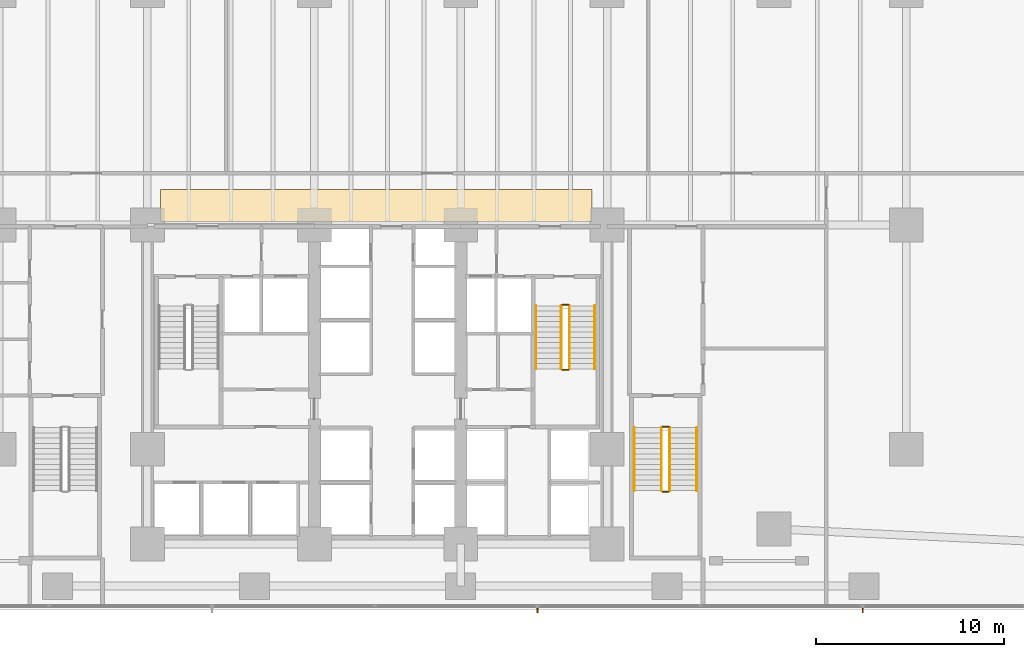
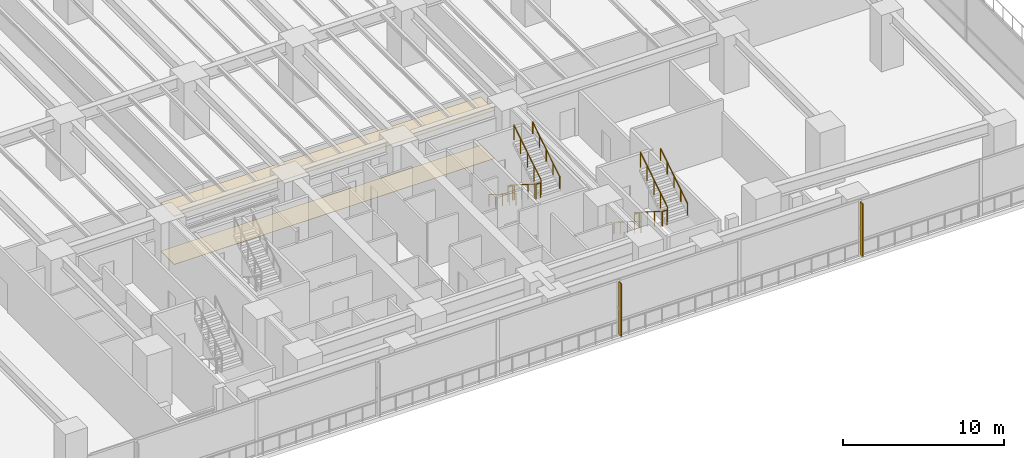
# One storey, part 22 of 27: 12 railings, 2 coverings, 2 shading devices.
"""IFC4 building model written with IfcOpenShell, lengths in metres."""

from ifc_helpers import new_model, si_unit, direction, frame, origin, origin_2d, place, context, subcontext, project, spatial, polyline, circle, outline, extrude, material, layer, layer_set, type_object, element, save


model = new_model("IFC4")

# Units and contexts
model_context = context("Model", 3, precision=1e-05, world=origin(), true_north=direction((0.0, 1.0)))
body_context = subcontext(model_context, "Body", "Model", "MODEL_VIEW")
ifc_project = project(units=[si_unit("LENGTHUNIT", "METRE"), si_unit("AREAUNIT", "SQUARE_METRE"), si_unit("VOLUMEUNIT", "CUBIC_METRE"), si_unit("PLANEANGLEUNIT", "RADIAN"), si_unit("MASSUNIT", "GRAM", prefix="KILO")], contexts=[model_context])

# Site, building, storey
site_placement = place(None, origin())
site = spatial("IfcSite", under=ifc_project, at=site_placement, CompositionType="ELEMENT")
building_placement = place(site_placement, origin())
building = spatial("IfcBuilding", under=site, at=building_placement, Name="Qalmaran Belvedere Hotel", CompositionType="ELEMENT")
storey_placement = place(building_placement, frame((0.0, 0.0, 5.39990234375)))
storey = spatial("IfcBuildingStorey", under=building, at=storey_placement, Name="L01", CompositionType="ELEMENT", Elevation=5.39990234375)

# Covering
ifc_material_1 = material(Name="Acoustic Mineral Ceiling")
ifc_layer_1 = layer(ifc_material_1, 0.0400390625, Name="Acoustic Mineral Ceiling")
ifc_layer_set_1 = layer_set([ifc_layer_1], Name="Acoustic Mineral Ceiling")
covering_type_1 = type_object("IfcCoveringType", Name="CLG-ACOUSTIC-40", PredefinedType="CEILING", material=ifc_layer_set_1)
covering_1_placement = place(storey_placement, frame((0.0, 0.0, 3.650146484375)))
element("IfcCovering", 1, at=covering_1_placement, inside=storey, type_object=covering_type_1, Name="L01 Acoustic Corridor Ceiling", PredefinedType="CEILING", context=body_context, shape_type="SweptSolid", body=[
    extrude(outline(polyline([(21.0, 20.699951171875), (44.0, 20.699951171875), (44.0, 22.39990234375), (21.0, 22.39990234375), (21.0, 20.699951171875)])), origin(), (0.0, 0.0, 1.0), 0.0400390625),
])

# Shading devices
ifc_material_2 = material(Name="Anodised Bronze Aluminium", Category="aluminium")
ifc_layer_2 = layer(ifc_material_2, 0.06494140625, Name="Anodised Bronze Aluminium")
ifc_layer_set_2 = layer_set([ifc_layer_2], Name="Anodised Bronze Aluminium")
shading_device_type = type_object("IfcShadingDeviceType", Name="FIN-BRNZ-300", PredefinedType="USERDEFINED", material=ifc_layer_set_2)
shading_device_1_placement = place(storey_placement, frame((0.0, 0.0, 0.16015625)))
element("IfcShadingDevice", 2, at=shading_device_1_placement, inside=storey, type_object=shading_device_type, Name="L01 Bronze Fin 5", ObjectType="FIN", PredefinedType="USERDEFINED", context=body_context, shape_type="SweptSolid", body=[
    extrude(outline(polyline([(41.05419921875, 0.12744140625), (41.05419921875, -0.172607421875), (41.119140625, -0.172607421875), (41.119140625, 0.12744140625), (41.05419921875, 0.12744140625)])), origin(), (0.0, 0.0, 1.0), 4.02001953125),
])
shading_device_2_placement = place(storey_placement, frame((0.0, 0.0, 0.16015625)))
element("IfcShadingDevice", 3, at=shading_device_2_placement, inside=storey, type_object=shading_device_type, Name="L01 Bronze Fin 7", ObjectType="FIN", PredefinedType="USERDEFINED", context=body_context, shape_type="SweptSolid", body=[
    extrude(outline(polyline([(58.40087890625, 0.12744140625), (58.40087890625, -0.172607421875), (58.4658203125, -0.172607421875), (58.4658203125, 0.12744140625), (58.40087890625, 0.12744140625)])), origin(), (0.0, 0.0, 1.0), 4.02001953125),
])

# Covering
ifc_material_3 = material(Name="Polished Stone Terrazzo", Category="masonry")
ifc_layer_3 = layer(ifc_material_3, 0.01806640625, Name="Polished Stone Terrazzo")
ifc_layer_set_3 = layer_set([ifc_layer_3], Name="Polished Stone Terrazzo")
covering_type_2 = type_object("IfcCoveringType", Name="FIN-TERRAZZO-18", PredefinedType="FLOORING", material=ifc_layer_set_3)
covering_2_placement = place(storey_placement, frame((0.0, 0.0, 0.002197265625)))
element("IfcCovering", 4, at=covering_2_placement, inside=storey, type_object=covering_type_2, Name="L01 Limestone Corridor Flooring", PredefinedType="FLOORING", context=body_context, shape_type="SweptSolid", body=[
    extrude(outline(polyline([(21.0, 20.699951171875), (44.0, 20.699951171875), (44.0, 22.39990234375), (21.0, 22.39990234375), (21.0, 20.699951171875)])), origin(), (0.0, 0.0, 1.0), 0.017822265625),
])

# Railings
ifc_material_4 = material(Name="Stainless Steel 1.4401", Category="steel")
railing_type_1 = type_object("IfcRailingType", Name="RLG-STAIR-GUARD-1150", PredefinedType="GUARDRAIL", material=ifc_material_4)
railing_1_placement = place(storey_placement, frame((42.360107421875, 16.18994140625, 0.177001953125)))
element("IfcRailing", 5, at=railing_1_placement, inside=storey, type_object=railing_type_1, Name="L01 ST-2 stair guard 1", PredefinedType="GUARDRAIL", context=body_context, shape_type="SweptSolid", body=[
    extrude(circle(Radius=0.02392578125, at=origin_2d()), frame((0.0, 0.0, 1.1259765625), z_axis=(0.0, -0.845372108799, 0.534177870812), x_axis=(1.0, 0.0, 0.0)), (0.0, 0.0, 1.0), 3.974365234375),
    extrude(circle(Radius=0.02099609375, at=origin_2d()), origin(), (0.0, 0.0, 1.0), 1.101806640625),
    extrude(circle(Radius=0.02099609375, at=origin_2d()), frame((0.0, -0.83984375, 0.53076171875)), (0.0, 0.0, 1.0), 1.101806640625),
    extrude(circle(Radius=0.02099609375, at=origin_2d()), frame((0.0, -1.679931640625, 1.0615234375)), (0.0, 0.0, 1.0), 1.101806640625),
    extrude(circle(Radius=0.02099609375, at=origin_2d()), frame((0.0, -2.52001953125, 1.59228515625)), (0.0, 0.0, 1.0), 1.101806640625),
    extrude(circle(Radius=0.02099609375, at=origin_2d()), frame((0.0, -3.35986328125, 2.123046875)), (0.0, 0.0, 1.0), 1.101806640625),
])
railing_2_placement = place(storey_placement, frame((42.409912109375, 12.780029296875, 2.300048828125)))
element("IfcRailing", 6, at=railing_2_placement, inside=storey, type_object=railing_type_1, Name="L01 ST-2 stair guard 2", PredefinedType="GUARDRAIL", context=body_context, shape_type="SweptSolid", body=[
    extrude(circle(Radius=0.02392578125, at=origin_2d()), frame((0.0, 0.0, 1.1259765625), z_axis=(1.0, 0.0, 0.0), x_axis=(0.0, 1.0, 0.0)), (0.0, 0.0, 1.0), 0.340087890625),
    extrude(circle(Radius=0.02099609375, at=origin_2d()), origin(), (0.0, 0.0, 1.0), 1.101806640625),
    extrude(circle(Radius=0.02099609375, at=origin_2d()), frame((0.340087890625, 0.0, 0.0)), (0.0, 0.0, 1.0), 1.101806640625),
])
railing_3_placement = place(storey_placement, frame((42.800048828125, 12.830078125, 2.47705078125)))
element("IfcRailing", 7, at=railing_3_placement, inside=storey, type_object=railing_type_1, Name="L01 ST-2 stair guard 3", PredefinedType="GUARDRAIL", context=body_context, shape_type="SweptSolid", body=[
    extrude(circle(Radius=0.02392578125, at=origin_2d()), frame((0.0, 0.0, 1.1259765625), z_axis=(0.0, 0.845372108799, 0.534177870812), x_axis=(-1.0, 0.0, 0.0)), (0.0, 0.0, 1.0), 3.974365234375),
    extrude(circle(Radius=0.02099609375, at=origin_2d()), origin(), (0.0, 0.0, 1.0), 1.101806640625),
    extrude(circle(Radius=0.02099609375, at=origin_2d()), frame((0.0, 0.83984375, 0.53076171875)), (0.0, 0.0, 1.0), 1.101806640625),
    extrude(circle(Radius=0.02099609375, at=origin_2d()), frame((0.0, 1.679931640625, 1.0615234375)), (0.0, 0.0, 1.0), 1.101806640625),
    extrude(circle(Radius=0.02099609375, at=origin_2d()), frame((0.0, 2.52001953125, 1.59228515625)), (0.0, 0.0, 1.0), 1.101806640625),
    extrude(circle(Radius=0.02099609375, at=origin_2d()), frame((0.0, 3.35986328125, 2.123046875)), (0.0, 0.0, 1.0), 1.101806640625),
])
railing_4_placement = place(storey_placement, frame((42.409912109375, 16.239990234375, 0.0)))
element("IfcRailing", 8, at=railing_4_placement, inside=storey, type_object=railing_type_1, Name="L01 ST-2 stair guard 4", PredefinedType="GUARDRAIL", context=body_context, shape_type="SweptSolid", body=[
    extrude(circle(Radius=0.02392578125, at=origin_2d()), frame((0.0, 0.0, 1.1259765625), z_axis=(1.0, 0.0, 0.0), x_axis=(0.0, 1.0, 0.0)), (0.0, 0.0, 1.0), 0.340087890625),
    extrude(circle(Radius=0.02099609375, at=origin_2d()), origin(), (0.0, 0.0, 1.0), 1.101806640625),
    extrude(circle(Radius=0.02099609375, at=origin_2d()), frame((0.340087890625, 0.0, 0.0)), (0.0, 0.0, 1.0), 1.101806640625),
])
railing_5_placement = place(storey_placement, frame((47.699951171875, 9.699951171875, 0.177001953125)))
element("IfcRailing", 9, at=railing_5_placement, inside=storey, type_object=railing_type_1, Name="L01 ST-P2 stair guard 1", PredefinedType="GUARDRAIL", context=body_context, shape_type="SweptSolid", body=[
    extrude(circle(Radius=0.02392578125, at=origin_2d()), frame((0.0, 0.0, 1.1259765625), z_axis=(0.0, -0.845372108799, 0.534177870812), x_axis=(1.0, 0.0, 0.0)), (0.0, 0.0, 1.0), 3.974365234375),
    extrude(circle(Radius=0.02099609375, at=origin_2d()), origin(), (0.0, 0.0, 1.0), 1.101806640625),
    extrude(circle(Radius=0.02099609375, at=origin_2d()), frame((0.0, -0.83984375, 0.53076171875)), (0.0, 0.0, 1.0), 1.101806640625),
    extrude(circle(Radius=0.02099609375, at=origin_2d()), frame((0.0, -1.679931640625, 1.0615234375)), (0.0, 0.0, 1.0), 1.101806640625),
    extrude(circle(Radius=0.02099609375, at=origin_2d()), frame((0.0, -2.52001953125, 1.59228515625)), (0.0, 0.0, 1.0), 1.101806640625),
    extrude(circle(Radius=0.02099609375, at=origin_2d()), frame((0.0, -3.35986328125, 2.123046875)), (0.0, 0.0, 1.0), 1.101806640625),
])
railing_6_placement = place(storey_placement, frame((47.75, 6.2900390625, 2.300048828125)))
element("IfcRailing", 10, at=railing_6_placement, inside=storey, type_object=railing_type_1, Name="L01 ST-P2 stair guard 2", PredefinedType="GUARDRAIL", context=body_context, shape_type="SweptSolid", body=[
    extrude(circle(Radius=0.02392578125, at=origin_2d()), frame((0.0, 0.0, 1.1259765625), z_axis=(1.0, 0.0, 0.0), x_axis=(0.0, 1.0, 0.0)), (0.0, 0.0, 1.0), 0.340087890625),
    extrude(circle(Radius=0.02099609375, at=origin_2d()), origin(), (0.0, 0.0, 1.0), 1.101806640625),
    extrude(circle(Radius=0.02099609375, at=origin_2d()), frame((0.340087890625, 0.0, 0.0)), (0.0, 0.0, 1.0), 1.101806640625),
])
railing_7_placement = place(storey_placement, frame((48.139892578125, 6.340087890625, 2.47705078125)))
element("IfcRailing", 11, at=railing_7_placement, inside=storey, type_object=railing_type_1, Name="L01 ST-P2 stair guard 3", PredefinedType="GUARDRAIL", context=body_context, shape_type="SweptSolid", body=[
    extrude(circle(Radius=0.02392578125, at=origin_2d()), frame((0.0, 0.0, 1.1259765625), z_axis=(0.0, 0.845372108799, 0.534177870812), x_axis=(-1.0, 0.0, 0.0)), (0.0, 0.0, 1.0), 3.974365234375),
    extrude(circle(Radius=0.02099609375, at=origin_2d()), origin(), (0.0, 0.0, 1.0), 1.101806640625),
    extrude(circle(Radius=0.02099609375, at=origin_2d()), frame((0.0, 0.83984375, 0.53076171875)), (0.0, 0.0, 1.0), 1.101806640625),
    extrude(circle(Radius=0.02099609375, at=origin_2d()), frame((0.0, 1.679931640625, 1.0615234375)), (0.0, 0.0, 1.0), 1.101806640625),
    extrude(circle(Radius=0.02099609375, at=origin_2d()), frame((0.0, 2.52001953125, 1.59228515625)), (0.0, 0.0, 1.0), 1.101806640625),
    extrude(circle(Radius=0.02099609375, at=origin_2d()), frame((0.0, 3.35986328125, 2.123046875)), (0.0, 0.0, 1.0), 1.101806640625),
])
railing_8_placement = place(storey_placement, frame((47.75, 9.75, 0.0)))
element("IfcRailing", 12, at=railing_8_placement, inside=storey, type_object=railing_type_1, Name="L01 ST-P2 stair guard 4", PredefinedType="GUARDRAIL", context=body_context, shape_type="SweptSolid", body=[
    extrude(circle(Radius=0.02392578125, at=origin_2d()), frame((0.0, 0.0, 1.1259765625), z_axis=(1.0, 0.0, 0.0), x_axis=(0.0, 1.0, 0.0)), (0.0, 0.0, 1.0), 0.340087890625),
    extrude(circle(Radius=0.02099609375, at=origin_2d()), origin(), (0.0, 0.0, 1.0), 1.101806640625),
    extrude(circle(Radius=0.02099609375, at=origin_2d()), frame((0.340087890625, 0.0, 0.0)), (0.0, 0.0, 1.0), 1.101806640625),
])
railing_type_2 = type_object("IfcRailingType", Name="RLG-STAIR-HAND-910", PredefinedType="HANDRAIL", material=ifc_material_4)
railing_9_placement = place(storey_placement, frame((41.010009765625, 16.18994140625, 0.177001953125)))
element("IfcRailing", 13, at=railing_9_placement, inside=storey, type_object=railing_type_2, Name="L01 ST-2 stair handrail 1", PredefinedType="HANDRAIL", context=body_context, shape_type="SweptSolid", body=[
    extrude(circle(Radius=0.02392578125, at=origin_2d()), frame((0.0, 0.0, 0.8857421875), z_axis=(0.0, -0.845372108799, 0.534177870812), x_axis=(1.0, 0.0, 0.0)), (0.0, 0.0, 1.0), 3.974365234375),
    extrude(circle(Radius=0.02099609375, at=origin_2d()), origin(), (0.0, 0.0, 1.0), 0.86181640625),
    extrude(circle(Radius=0.02099609375, at=origin_2d()), frame((0.0, -0.83984375, 0.53076171875)), (0.0, 0.0, 1.0), 0.86181640625),
    extrude(circle(Radius=0.02099609375, at=origin_2d()), frame((0.0, -1.679931640625, 1.0615234375)), (0.0, 0.0, 1.0), 0.86181640625),
    extrude(circle(Radius=0.02099609375, at=origin_2d()), frame((0.0, -2.52001953125, 1.59228515625)), (0.0, 0.0, 1.0), 0.86181640625),
    extrude(circle(Radius=0.02099609375, at=origin_2d()), frame((0.0, -3.35986328125, 2.123046875)), (0.0, 0.0, 1.0), 0.86181640625),
])
railing_10_placement = place(storey_placement, frame((44.14990234375, 12.830078125, 2.47705078125)))
element("IfcRailing", 14, at=railing_10_placement, inside=storey, type_object=railing_type_2, Name="L01 ST-2 stair handrail 2", PredefinedType="HANDRAIL", context=body_context, shape_type="SweptSolid", body=[
    extrude(circle(Radius=0.02392578125, at=origin_2d()), frame((0.0, 0.0, 0.8857421875), z_axis=(0.0, 0.845372108799, 0.534177870812), x_axis=(-1.0, 0.0, 0.0)), (0.0, 0.0, 1.0), 3.974365234375),
    extrude(circle(Radius=0.02099609375, at=origin_2d()), origin(), (0.0, 0.0, 1.0), 0.86181640625),
    extrude(circle(Radius=0.02099609375, at=origin_2d()), frame((0.0, 0.83984375, 0.53076171875)), (0.0, 0.0, 1.0), 0.86181640625),
    extrude(circle(Radius=0.02099609375, at=origin_2d()), frame((0.0, 1.679931640625, 1.0615234375)), (0.0, 0.0, 1.0), 0.86181640625),
    extrude(circle(Radius=0.02099609375, at=origin_2d()), frame((0.0, 2.52001953125, 1.59228515625)), (0.0, 0.0, 1.0), 0.86181640625),
    extrude(circle(Radius=0.02099609375, at=origin_2d()), frame((0.0, 3.35986328125, 2.123046875)), (0.0, 0.0, 1.0), 0.86181640625),
])
railing_11_placement = place(storey_placement, frame((46.25, 9.699951171875, 0.177001953125)))
element("IfcRailing", 15, at=railing_11_placement, inside=storey, type_object=railing_type_2, Name="L01 ST-P2 stair handrail 1", PredefinedType="HANDRAIL", context=body_context, shape_type="SweptSolid", body=[
    extrude(circle(Radius=0.02392578125, at=origin_2d()), frame((0.0, 0.0, 0.8857421875), z_axis=(0.0, -0.845372108799, 0.534177870812), x_axis=(1.0, 0.0, 0.0)), (0.0, 0.0, 1.0), 3.974365234375),
    extrude(circle(Radius=0.02099609375, at=origin_2d()), origin(), (0.0, 0.0, 1.0), 0.86181640625),
    extrude(circle(Radius=0.02099609375, at=origin_2d()), frame((0.0, -0.83984375, 0.53076171875)), (0.0, 0.0, 1.0), 0.86181640625),
    extrude(circle(Radius=0.02099609375, at=origin_2d()), frame((0.0, -1.679931640625, 1.0615234375)), (0.0, 0.0, 1.0), 0.86181640625),
    extrude(circle(Radius=0.02099609375, at=origin_2d()), frame((0.0, -2.52001953125, 1.59228515625)), (0.0, 0.0, 1.0), 0.86181640625),
    extrude(circle(Radius=0.02099609375, at=origin_2d()), frame((0.0, -3.35986328125, 2.123046875)), (0.0, 0.0, 1.0), 0.86181640625),
])
railing_12_placement = place(storey_placement, frame((49.590087890625, 6.340087890625, 2.47705078125)))
element("IfcRailing", 16, at=railing_12_placement, inside=storey, type_object=railing_type_2, Name="L01 ST-P2 stair handrail 2", PredefinedType="HANDRAIL", context=body_context, shape_type="SweptSolid", body=[
    extrude(circle(Radius=0.02392578125, at=origin_2d()), frame((0.0, 0.0, 0.8857421875), z_axis=(0.0, 0.845372108799, 0.534177870812), x_axis=(-1.0, 0.0, 0.0)), (0.0, 0.0, 1.0), 3.974365234375),
    extrude(circle(Radius=0.02099609375, at=origin_2d()), origin(), (0.0, 0.0, 1.0), 0.86181640625),
    extrude(circle(Radius=0.02099609375, at=origin_2d()), frame((0.0, 0.83984375, 0.53076171875)), (0.0, 0.0, 1.0), 0.86181640625),
    extrude(circle(Radius=0.02099609375, at=origin_2d()), frame((0.0, 1.679931640625, 1.0615234375)), (0.0, 0.0, 1.0), 0.86181640625),
    extrude(circle(Radius=0.02099609375, at=origin_2d()), frame((0.0, 2.52001953125, 1.59228515625)), (0.0, 0.0, 1.0), 0.86181640625),
    extrude(circle(Radius=0.02099609375, at=origin_2d()), frame((0.0, 3.35986328125, 2.123046875)), (0.0, 0.0, 1.0), 0.86181640625),
])

save(model, "model.ifc")
